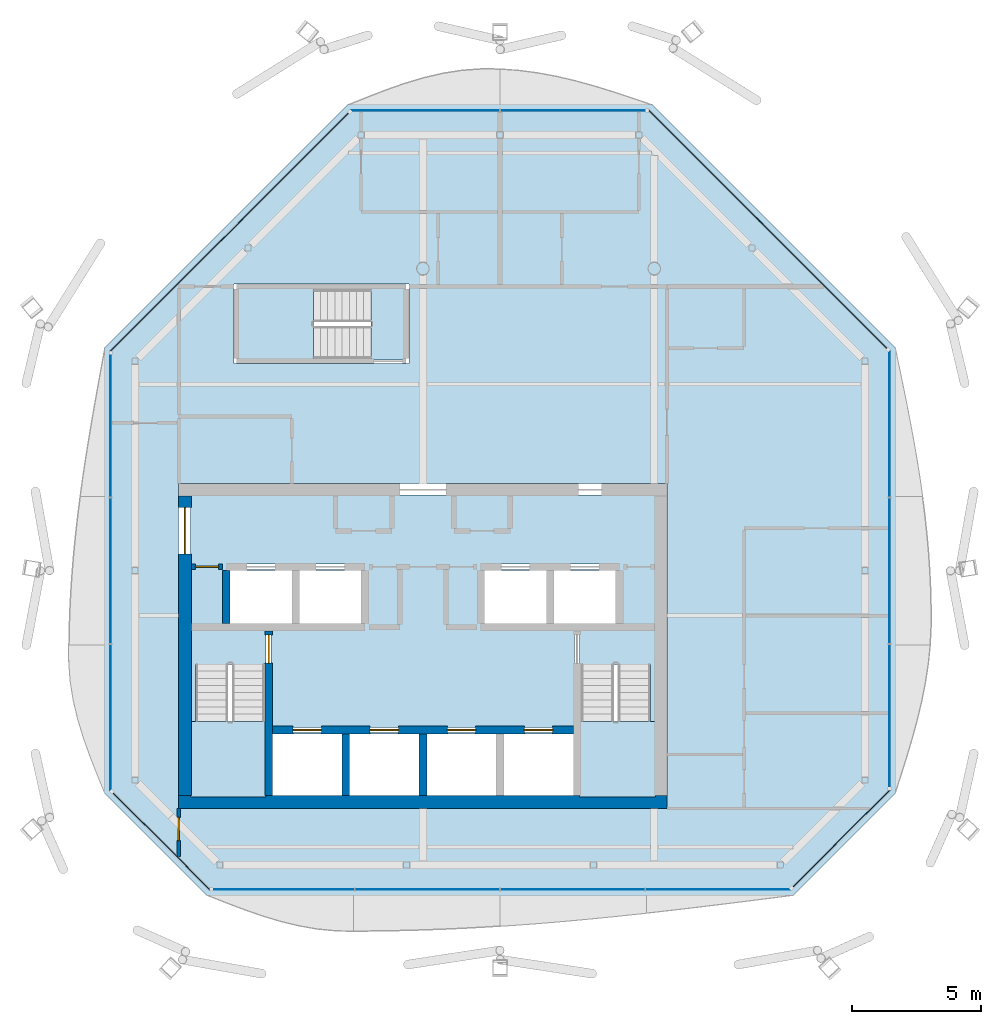
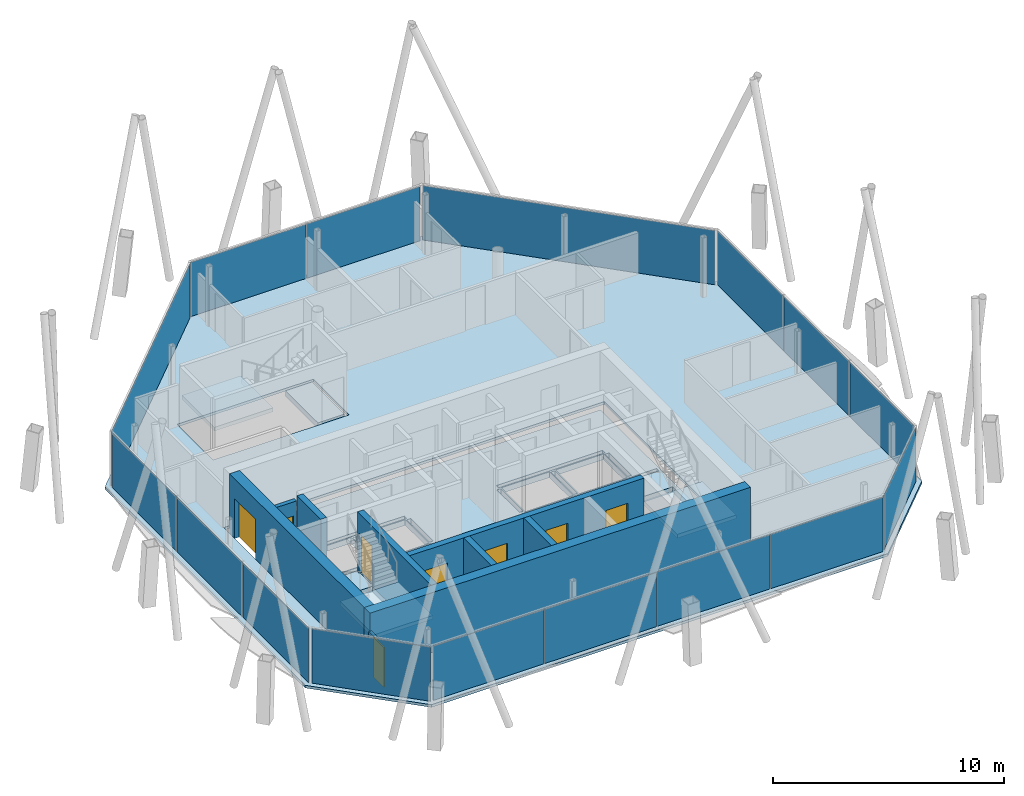
# One storey, part 9 of 14: 16 plates, 9 walls, 8 doors, 6 slabs, 8 openings, 11 elements without a shape of their own.
"""IFC4 building model written with IfcOpenShell, lengths in metres."""

from ifc_helpers import new_model, si_unit, direction, frame, frame_2d, origin, origin_2d, place, context, subcontext, project, spatial, polyline, rectangle, outline, extrude, material, layer, layer_set, type_object, element, fill, aggregate, save


model = new_model("IFC4")

# Units and contexts
model_context = context("Model", 3, precision=1e-05, world=origin(), true_north=direction((0.0, 1.0)))
body_context = subcontext(model_context, "Body", "Model", "MODEL_VIEW")
ifc_project = project(units=[si_unit("LENGTHUNIT", "METRE"), si_unit("AREAUNIT", "SQUARE_METRE"), si_unit("VOLUMEUNIT", "CUBIC_METRE"), si_unit("PLANEANGLEUNIT", "RADIAN"), si_unit("MASSUNIT", "GRAM", prefix="KILO")], contexts=[model_context])

# Site, building, storey
site_placement = place(None, origin())
site = spatial("IfcSite", under=ifc_project, at=site_placement, CompositionType="ELEMENT")
building_placement = place(site_placement, origin())
building = spatial("IfcBuilding", under=site, at=building_placement, Name="Tskaro Facet Tower", CompositionType="ELEMENT")
storey_placement = place(building_placement, frame((0.0, 0.0, 287.85009765625)))
storey = spatial("IfcBuildingStorey", under=building, at=storey_placement, Name="L77", CompositionType="ELEMENT", Elevation=287.85009765625)

# Slab
ifc_material_1 = material(Name="Concrete C30/37", Category="concrete")
ifc_layer_1 = layer(ifc_material_1, 0.139892578125, Name="Concrete C30/37")
ifc_layer_set_1 = layer_set([ifc_layer_1], Name="Concrete C30/37")
slab_type_1 = type_object("IfcSlabType", Name="Composite deck floor slab", PredefinedType="FLOOR", material=ifc_layer_set_1)
slab_1_placement = place(storey_placement, frame((0.0, 0.0, -0.14013671875)))
element("IfcSlab", 1, at=slab_1_placement, inside=storey, type_object=slab_type_1, Name="Floor slab FS3 L77", PredefinedType="FLOOR", context=body_context, shape_type="SweptSolid", body=[
    extrude(outline(polyline([(-8.39990234375, -15.39990234375), (14.39990234375, -15.39990234375), (18.39990234375, -11.39990234375), (18.39990234375, 5.89990234375), (8.89990234375, 15.39990234375), (-2.89990234375, 15.39990234375), (-12.39990234375, 5.89990234375), (-12.39990234375, -11.39990234375), (-8.39990234375, -15.39990234375)]), holes=[polyline([(-9.5, -12.0), (9.5, -12.0), (9.5, 0.64990234375), (-9.5, 0.64990234375), (-9.5, -12.0)]), polyline([(-7.35009765625, 5.300048828125), (-0.550048828125, 5.300048828125), (-0.550048828125, 8.39990234375), (-7.35009765625, 8.39990234375), (-7.35009765625, 5.300048828125)])]), origin(), (0.0, 0.0, 1.0), 0.14013671875),
])

# Curtain wall, plates
ifc_material_2 = material(Name="Bronze anodised aluminium 6063-T6", Category="aluminium")
curtain_wall_type = type_object("IfcCurtainWallType", Name="Bronze residence curtain wall (FW3)", PredefinedType="NOTDEFINED", material=ifc_material_2)
curtain_wall_1_placement = place(storey_placement, origin())
curtain_wall_1 = element("IfcCurtainWall", 2, at=curtain_wall_1_placement, inside=storey, type_object=curtain_wall_type, Name="FW3 south facet L77", PredefinedType="NOTDEFINED")
ifc_material_3 = material(Name="Bronze low-iron glass", Category="glass")
ifc_layer_2 = layer(ifc_material_3, 0.028076171875, Name="Bronze low-iron glass")
ifc_layer_set_2 = layer_set([ifc_layer_2], Name="Bronze low-iron glass")
plate_type = type_object("IfcPlateType", Name="FW3 bronze-tinted unit glazing 28", PredefinedType="CURTAIN_PANEL", material=ifc_layer_set_2)
plate_1_placement = place(storey_placement, frame((-5.41455078125, -15.14990234375, 0.0), z_axis=(0.0, 0.0, 1.0), x_axis=(1.0, 0.0, 0.0)))
plate_1 = element("IfcPlate", 3, at=plate_1_placement, type_object=plate_type, Name="FW3 south glazing 1.1", PredefinedType="CURTAIN_PANEL", context=body_context, shape_type="SweptSolid", body=[
    extrude(rectangle(XDim=5.48291015625, YDim=0.028076171875, at=origin_2d()), origin(), (0.0, 0.0, 1.0), 2.860107421875),
])
plate_2_placement = place(storey_placement, frame((0.176025390625, -15.14990234375, 0.0), z_axis=(0.0, 0.0, 1.0), x_axis=(1.0, 0.0, 0.0)))
plate_2 = element("IfcPlate", 4, at=plate_2_placement, type_object=plate_type, Name="FW3 south glazing 2.1", PredefinedType="CURTAIN_PANEL", context=body_context, shape_type="SweptSolid", body=[
    extrude(rectangle(XDim=5.597900390625, YDim=0.028076171875, at=origin_2d()), origin(), (0.0, 0.0, 1.0), 2.860107421875),
])
plate_3_placement = place(storey_placement, frame((5.823974609375, -15.14990234375, 0.0), z_axis=(0.0, 0.0, 1.0), x_axis=(1.0, 0.0, 0.0)))
plate_3 = element("IfcPlate", 5, at=plate_3_placement, type_object=plate_type, Name="FW3 south glazing 3.1", PredefinedType="CURTAIN_PANEL", context=body_context, shape_type="SweptSolid", body=[
    extrude(rectangle(XDim=5.597900390625, YDim=0.028076171875, at=origin_2d()), origin(), (0.0, 0.0, 1.0), 2.860107421875),
])
plate_4_placement = place(storey_placement, frame((11.484619140625, -15.14990234375, 0.0), z_axis=(0.0, 0.0, 1.0), x_axis=(1.0, 0.0, 0.0)))
plate_4 = element("IfcPlate", 6, at=plate_4_placement, type_object=plate_type, Name="FW3 south glazing 4.1", PredefinedType="CURTAIN_PANEL", context=body_context, shape_type="SweptSolid", body=[
    extrude(rectangle(XDim=5.623046875, YDim=0.028076171875, at=origin_2d()), origin(), (0.0, 0.0, 1.0), 2.860107421875),
])
aggregate(curtain_wall_1, [plate_1, plate_2, plate_3, plate_4])

# Curtain wall, plate
curtain_wall_2_placement = place(storey_placement, origin())
curtain_wall_2 = element("IfcCurtainWall", 7, at=curtain_wall_2_placement, inside=storey, type_object=curtain_wall_type, Name="FW3 south-east facet L77", PredefinedType="NOTDEFINED")
plate_5_placement = place(storey_placement, frame((16.2724609375, -13.173583984375, 0.0), z_axis=(0.0, 0.0, 1.0), x_axis=(0.707106781187, 0.707106781187, 0.0)))
plate_5 = element("IfcPlate", 8, at=plate_5_placement, type_object=plate_type, Name="FW3 south-east glazing 1.1", PredefinedType="CURTAIN_PANEL", context=body_context, shape_type="SweptSolid", body=[
    extrude(rectangle(XDim=5.310302734375, YDim=0.028076171875, at=origin_2d()), origin(), (0.0, 0.0, 1.0), 2.860107421875),
])
aggregate(curtain_wall_2, [plate_5])

# Curtain wall, plates
curtain_wall_3_placement = place(storey_placement, origin())
curtain_wall_3 = element("IfcCurtainWall", 9, at=curtain_wall_3_placement, inside=storey, type_object=curtain_wall_type, Name="FW3 east facet L77", PredefinedType="NOTDEFINED")
plate_6_placement = place(storey_placement, frame((18.14990234375, -8.389892578125, 0.0), z_axis=(0.0, 0.0, 1.0), x_axis=(0.0, 1.0, 0.0)))
plate_6 = element("IfcPlate", 10, at=plate_6_placement, type_object=plate_type, Name="FW3 east glazing 1.1", PredefinedType="CURTAIN_PANEL", context=body_context, shape_type="SweptSolid", body=[
    extrude(rectangle(XDim=5.5322265625, YDim=0.028076171875, at=origin_2d()), origin(), (0.0, 0.0, 1.0), 2.860107421875),
])
plate_7_placement = place(storey_placement, frame((18.14990234375, -2.75, 0.0), z_axis=(0.0, 0.0, 1.0), x_axis=(0.0, 1.0, 0.0)))
plate_7 = element("IfcPlate", 11, at=plate_7_placement, type_object=plate_type, Name="FW3 east glazing 2.1", PredefinedType="CURTAIN_PANEL", context=body_context, shape_type="SweptSolid", body=[
    extrude(rectangle(XDim=5.647216796875, YDim=0.028076171875, at=origin_2d()), origin(), (0.0, 0.0, 1.0), 2.860107421875),
])
plate_8_placement = place(storey_placement, frame((18.14990234375, 2.959716796875, 0.0), z_axis=(0.0, 0.0, 1.0), x_axis=(0.0, 1.0, 0.0)))
plate_8 = element("IfcPlate", 12, at=plate_8_placement, type_object=plate_type, Name="FW3 east glazing 3.1", PredefinedType="CURTAIN_PANEL", context=body_context, shape_type="SweptSolid", body=[
    extrude(rectangle(XDim=5.67236328125, YDim=0.028076171875, at=origin_2d()), origin(), (0.0, 0.0, 1.0), 2.860107421875),
])
aggregate(curtain_wall_3, [plate_6, plate_7, plate_8])

# Curtain wall, plate
curtain_wall_4_placement = place(storey_placement, origin())
curtain_wall_4 = element("IfcCurtainWall", 13, at=curtain_wall_4_placement, inside=storey, type_object=curtain_wall_type, Name="FW3 north-east facet L77", PredefinedType="NOTDEFINED")
plate_9_placement = place(storey_placement, frame((13.423583984375, 10.5224609375, 0.0), z_axis=(0.0, 0.0, 1.0), x_axis=(-0.707106781187, 0.707106781187, 0.0)))
plate_9 = element("IfcPlate", 14, at=plate_9_placement, type_object=plate_type, Name="FW3 north-east glazing 1.1", PredefinedType="CURTAIN_PANEL", context=body_context, shape_type="SweptSolid", body=[
    extrude(rectangle(XDim=13.088623046875, YDim=0.028076171875, at=origin_2d()), origin(), (0.0, 0.0, 1.0), 2.860107421875),
])
aggregate(curtain_wall_4, [plate_9])

# Curtain wall, plates
curtain_wall_5_placement = place(storey_placement, origin())
curtain_wall_5 = element("IfcCurtainWall", 15, at=curtain_wall_5_placement, inside=storey, type_object=curtain_wall_type, Name="FW3 north facet L77", PredefinedType="NOTDEFINED")
plate_10_placement = place(storey_placement, frame((5.840576171875, 15.14990234375, 0.0), z_axis=(0.0, 0.0, 1.0), x_axis=(-1.0, 0.0, 0.0)))
plate_10 = element("IfcPlate", 16, at=plate_10_placement, type_object=plate_type, Name="FW3 north glazing 1.1", PredefinedType="CURTAIN_PANEL", context=body_context, shape_type="SweptSolid", body=[
    extrude(rectangle(XDim=5.631103515625, YDim=0.028076171875, at=origin_2d()), origin(), (0.0, 0.0, 1.0), 2.860107421875),
])
plate_11_placement = place(storey_placement, frame((0.089599609375, 15.14990234375, 0.0), z_axis=(0.0, 0.0, 1.0), x_axis=(-1.0, 0.0, 0.0)))
plate_11 = element("IfcPlate", 17, at=plate_11_placement, type_object=plate_type, Name="FW3 north glazing 2.1", PredefinedType="CURTAIN_PANEL", context=body_context, shape_type="SweptSolid", body=[
    extrude(rectangle(XDim=5.77099609375, YDim=0.028076171875, at=origin_2d()), origin(), (0.0, 0.0, 1.0), 2.860107421875),
])
aggregate(curtain_wall_5, [plate_10, plate_11])

# Curtain wall, plate
curtain_wall_6_placement = place(storey_placement, origin())
curtain_wall_6 = element("IfcCurtainWall", 18, at=curtain_wall_6_placement, inside=storey, type_object=curtain_wall_type, Name="FW3 north-west facet L77", PredefinedType="NOTDEFINED")
plate_12_placement = place(storey_placement, frame((-7.5224609375, 10.423583984375, 0.0), z_axis=(0.0, 0.0, 1.0), x_axis=(-0.707106781187, -0.707106781187, 0.0)))
plate_12 = element("IfcPlate", 19, at=plate_12_placement, type_object=plate_type, Name="FW3 north-west glazing 1.1", PredefinedType="CURTAIN_PANEL", context=body_context, shape_type="SweptSolid", body=[
    extrude(rectangle(XDim=13.088623046875, YDim=0.028076171875, at=origin_2d()), origin(), (0.0, 0.0, 1.0), 2.860107421875),
])
aggregate(curtain_wall_6, [plate_12])

# Curtain wall, plates
curtain_wall_7_placement = place(storey_placement, origin())
curtain_wall_7 = element("IfcCurtainWall", 20, at=curtain_wall_7_placement, inside=storey, type_object=curtain_wall_type, Name="FW3 west facet L77", PredefinedType="NOTDEFINED")
plate_13_placement = place(storey_placement, frame((-12.14990234375, 2.889892578125, 0.0), z_axis=(0.0, 0.0, 1.0), x_axis=(0.0, -1.0, 0.0)))
plate_13 = element("IfcPlate", 21, at=plate_13_placement, type_object=plate_type, Name="FW3 west glazing 1.1", PredefinedType="CURTAIN_PANEL", context=body_context, shape_type="SweptSolid", body=[
    extrude(rectangle(XDim=5.5322265625, YDim=0.028076171875, at=origin_2d()), origin(), (0.0, 0.0, 1.0), 2.860107421875),
])
plate_14_placement = place(storey_placement, frame((-12.14990234375, -2.75, 0.0), z_axis=(0.0, 0.0, 1.0), x_axis=(0.0, -1.0, 0.0)))
plate_14 = element("IfcPlate", 22, at=plate_14_placement, type_object=plate_type, Name="FW3 west glazing 2.1", PredefinedType="CURTAIN_PANEL", context=body_context, shape_type="SweptSolid", body=[
    extrude(rectangle(XDim=5.647216796875, YDim=0.028076171875, at=origin_2d()), origin(), (0.0, 0.0, 1.0), 2.860107421875),
])
plate_15_placement = place(storey_placement, frame((-12.14990234375, -8.459716796875, 0.0), z_axis=(0.0, 0.0, 1.0), x_axis=(0.0, -1.0, 0.0)))
plate_15 = element("IfcPlate", 23, at=plate_15_placement, type_object=plate_type, Name="FW3 west glazing 3.1", PredefinedType="CURTAIN_PANEL", context=body_context, shape_type="SweptSolid", body=[
    extrude(rectangle(XDim=5.67236328125, YDim=0.028076171875, at=origin_2d()), origin(), (0.0, 0.0, 1.0), 2.860107421875),
])
aggregate(curtain_wall_7, [plate_13, plate_14, plate_15])

# Curtain wall, plate
curtain_wall_8_placement = place(storey_placement, origin())
curtain_wall_8 = element("IfcCurtainWall", 24, at=curtain_wall_8_placement, inside=storey, type_object=curtain_wall_type, Name="FW3 south-west facet L77", PredefinedType="NOTDEFINED")
plate_16_placement = place(storey_placement, frame((-10.173583984375, -13.2724609375, 0.0), z_axis=(0.0, 0.0, 1.0), x_axis=(0.707106781187, -0.707106781187, 0.0)))
plate_16 = element("IfcPlate", 25, at=plate_16_placement, type_object=plate_type, Name="FW3 south-west glazing 1.1", PredefinedType="CURTAIN_PANEL", context=body_context, shape_type="SweptSolid", body=[
    extrude(rectangle(XDim=5.310302734375, YDim=0.028076171875, at=origin_2d()), origin(), (0.0, 0.0, 1.0), 2.860107421875),
])
aggregate(curtain_wall_8, [plate_16])

# Stair, slab
ifc_material_4 = material(Name="Concrete C40/50", Category="concrete")
stair_type = type_object("IfcStairType", Name="ST-TWR", PredefinedType="HALF_TURN_STAIR", material=ifc_material_4)
stair_1_placement = place(storey_placement, origin())
stair_1 = element("IfcStair", 26, at=stair_1_placement, inside=storey, type_object=stair_type, Name="L77 Exit stair 1", PredefinedType="HALF_TURN_STAIR")
ifc_layer_3 = layer(ifc_material_4, 0.199951171875, Name="Concrete C40/50")
ifc_layer_set_3 = layer_set([ifc_layer_3], Name="Concrete C40/50")
slab_type_2 = type_object("IfcSlabType", Name="SL-LANDING", PredefinedType="LANDING", material=ifc_layer_set_3)
slab_2_placement = place(storey_placement, frame((0.0, 0.0, 1.375)))
slab_2 = element("IfcSlab", 27, at=slab_2_placement, type_object=slab_type_2, Name="ST-1 landing 1", PredefinedType="LANDING", context=body_context, shape_type="SweptSolid", body=[
    extrude(outline(polyline([(-9.050048828125, -11.550048828125), (-6.10009765625, -11.550048828125), (-6.10009765625, -8.614990234375), (-9.050048828125, -8.614990234375), (-9.050048828125, -11.550048828125)])), origin(), (0.0, 0.0, 1.0), 0.199951171875),
])
aggregate(stair_1, [slab_2])

stair_2_placement = place(storey_placement, origin())
stair_2 = element("IfcStair", 28, at=stair_2_placement, inside=storey, type_object=stair_type, Name="L77 Exit stair 2", PredefinedType="HALF_TURN_STAIR")
slab_3_placement = place(storey_placement, frame((0.0, 0.0, 1.375)))
slab_3 = element("IfcSlab", 29, at=slab_3_placement, type_object=slab_type_2, Name="ST-2 landing 1", PredefinedType="LANDING", context=body_context, shape_type="SweptSolid", body=[
    extrude(outline(polyline([(6.10009765625, -11.550048828125), (9.050048828125, -11.550048828125), (9.050048828125, -8.614990234375), (6.10009765625, -8.614990234375), (6.10009765625, -11.550048828125)])), origin(), (0.0, 0.0, 1.0), 0.199951171875),
])
aggregate(stair_2, [slab_3])

stair_3_placement = place(storey_placement, origin())
stair_3 = element("IfcStair", 30, at=stair_3_placement, inside=storey, type_object=stair_type, Name="L77 Exit stair 3", PredefinedType="HALF_TURN_STAIR")
slab_4_placement = place(storey_placement, frame((0.0, 0.0, 1.375)))
slab_4 = element("IfcSlab", 31, at=slab_4_placement, type_object=slab_type_2, Name="ST-3 landing 1", PredefinedType="LANDING", context=body_context, shape_type="SweptSolid", body=[
    extrude(outline(polyline([(-7.199951171875, 5.449951171875), (-4.264892578125, 5.449951171875), (-4.264892578125, 8.25), (-7.199951171875, 8.25), (-7.199951171875, 5.449951171875)])), origin(), (0.0, 0.0, 1.0), 0.199951171875),
])
aggregate(stair_3, [slab_4])

# Slabs
ifc_material_5 = material(Name="Concrete C60/75", Category="concrete")
ifc_layer_4 = layer(ifc_material_5, 0.300048828125, Name="Concrete C60/75")
ifc_layer_set_4 = layer_set([ifc_layer_4], Name="Concrete C60/75")
slab_type_3 = type_object("IfcSlabType", Name="SLAB-CORE", PredefinedType="FLOOR", material=ifc_layer_set_4)
slab_5_placement = place(storey_placement, frame((0.0, 0.0, -0.300048828125)))
element("IfcSlab", 32, at=slab_5_placement, inside=storey, type_object=slab_type_3, Name="Core floor slab 1", PredefinedType="FLOOR", context=body_context, shape_type="SweptSolid", body=[
    extrude(outline(polyline([(-9.050048828125, 0.199951171875), (9.050048828125, 0.199951171875), (9.050048828125, 0.10009765625), (9.050048828125, -11.449951171875), (9.050048828125, -11.550048828125), (-9.050048828125, -11.550048828125), (-9.050048828125, -11.449951171875), (-9.050048828125, 0.10009765625), (-9.050048828125, 0.199951171875)]), holes=[polyline([(-5.85009765625, -9.10009765625), (-5.85009765625, -11.5), (-3.14990234375, -11.5), (-3.14990234375, -9.10009765625), (-5.85009765625, -9.10009765625)]), polyline([(-3.10009765625, -11.449951171875), (-2.89990234375, -11.449951171875), (-2.89990234375, -9.14990234375), (-3.10009765625, -9.14990234375), (-3.10009765625, -11.449951171875)]), polyline([(-2.85009765625, -9.10009765625), (-2.85009765625, -11.5), (-0.14990234375, -11.5), (-0.14990234375, -9.10009765625), (-2.85009765625, -9.10009765625)]), polyline([(-6.10009765625, -11.449951171875), (-5.89990234375, -11.449951171875), (-5.89990234375, -5.14990234375), (-6.10009765625, -5.14990234375), (-6.10009765625, -11.449951171875)]), polyline([(-8.949951171875, -5.050048828125), (-2.300048828125, -5.050048828125), (-2.300048828125, -4.85009765625), (-8.949951171875, -4.85009765625), (-8.949951171875, -5.050048828125)]), polyline([(-7.75, -4.75), (-7.550048828125, -4.75), (-7.550048828125, -2.800048828125), (-7.75, -2.800048828125), (-7.75, -4.75)]), polyline([(-7.5, -4.800048828125), (-5.10009765625, -4.800048828125), (-5.10009765625, -2.75), (-7.5, -2.75), (-7.5, -4.800048828125)]), polyline([(-5.050048828125, -4.75), (-4.85009765625, -4.75), (-4.85009765625, -2.800048828125), (-5.050048828125, -2.800048828125), (-5.050048828125, -4.75)]), polyline([(-2.39990234375, -2.75), (-4.800048828125, -2.75), (-4.800048828125, -4.800048828125), (-2.39990234375, -4.800048828125), (-2.39990234375, -2.75)]), polyline([(-2.35009765625, -4.75), (-2.14990234375, -4.75), (-2.14990234375, -2.800048828125), (-2.35009765625, -2.800048828125), (-2.35009765625, -4.75)]), polyline([(-7.60009765625, -2.699951171875), (-2.300048828125, -2.699951171875), (-2.300048828125, -2.5), (-7.60009765625, -2.5), (-7.60009765625, -2.699951171875)]), polyline([(-0.10009765625, -11.449951171875), (0.10009765625, -11.449951171875), (0.10009765625, -9.14990234375), (-0.10009765625, -9.14990234375), (-0.10009765625, -11.449951171875)]), polyline([(0.14990234375, -9.10009765625), (0.14990234375, -11.5), (2.85009765625, -11.5), (2.85009765625, -9.10009765625), (0.14990234375, -9.10009765625)]), polyline([(2.89990234375, -11.449951171875), (3.10009765625, -11.449951171875), (3.10009765625, -9.14990234375), (2.89990234375, -9.14990234375), (2.89990234375, -11.449951171875)]), polyline([(3.14990234375, -9.10009765625), (3.14990234375, -11.5), (5.85009765625, -11.5), (5.85009765625, -9.10009765625), (3.14990234375, -9.10009765625)]), polyline([(-5.800048828125, -9.050048828125), (5.800048828125, -9.050048828125), (5.800048828125, -8.85009765625), (-5.800048828125, -8.85009765625), (-5.800048828125, -9.050048828125)]), polyline([(5.89990234375, -11.449951171875), (6.10009765625, -11.449951171875), (6.10009765625, -5.14990234375), (5.89990234375, -5.14990234375), (5.89990234375, -11.449951171875)]), polyline([(2.300048828125, -5.050048828125), (8.949951171875, -5.050048828125), (8.949951171875, -4.85009765625), (2.300048828125, -4.85009765625), (2.300048828125, -5.050048828125)]), polyline([(2.14990234375, -4.75), (2.35009765625, -4.75), (2.35009765625, -2.800048828125), (2.14990234375, -2.800048828125), (2.14990234375, -4.75)]), polyline([(4.800048828125, -2.75), (2.39990234375, -2.75), (2.39990234375, -4.800048828125), (4.800048828125, -4.800048828125), (4.800048828125, -2.75)]), polyline([(4.85009765625, -4.75), (5.050048828125, -4.75), (5.050048828125, -2.800048828125), (4.85009765625, -2.800048828125), (4.85009765625, -4.75)]), polyline([(7.5, -2.75), (5.10009765625, -2.75), (5.10009765625, -4.800048828125), (7.5, -4.800048828125), (7.5, -2.75)]), polyline([(7.550048828125, -4.75), (7.75, -4.75), (7.75, -2.800048828125), (7.550048828125, -2.800048828125), (7.550048828125, -4.75)]), polyline([(2.300048828125, -2.699951171875), (7.60009765625, -2.699951171875), (7.60009765625, -2.5), (2.300048828125, -2.5), (2.300048828125, -2.699951171875)]), polyline([(-8.85009765625, -11.5), (-6.14990234375, -11.5), (-6.14990234375, -6.39501953125), (-8.85009765625, -6.39501953125), (-8.85009765625, -11.5)]), polyline([(6.14990234375, -6.39501953125), (6.14990234375, -11.5), (8.85009765625, -11.5), (8.85009765625, -6.39501953125), (6.14990234375, -6.39501953125)])]), origin(), (0.0, 0.0, 1.0), 0.300048828125),
])
slab_6_placement = place(storey_placement, frame((0.0, 0.0, -0.300048828125)))
element("IfcSlab", 33, at=slab_6_placement, inside=storey, type_object=slab_type_3, Name="Stair 3 floor landing 1", PredefinedType="FLOOR", context=body_context, shape_type="SweptSolid", body=[
    extrude(outline(polyline([(-2.02490234375, 5.449951171875), (-0.699951171875, 5.449951171875), (-0.699951171875, 8.25), (-2.02490234375, 8.25), (-2.02490234375, 5.449951171875)])), origin(), (0.0, 0.0, 1.0), 0.300048828125),
])

# Wall, openings, doors
ifc_layer_5 = layer(ifc_material_5, 0.300048828125, Name="Concrete C60/75")
ifc_layer_set_5 = layer_set([ifc_layer_5], Name="Concrete C60/75")
wall_type_1 = type_object("IfcWallType", Name="CORE-SHAFT", PredefinedType="SHEAR", material=ifc_layer_set_5)
wall_1_placement = place(storey_placement, frame((-5.85009765625, -8.949951171875, 0.0), z_axis=(0.0, 0.0, 1.0), x_axis=(1.0, 0.0, 0.0)))
wall_1 = element("IfcWall", 34, at=wall_1_placement, inside=storey, type_object=wall_type_1, Name="Shaft wall W003", PredefinedType="SHEAR", context=body_context, shape_type="SweptSolid", body=[
    extrude(rectangle(XDim=11.7001953125, YDim=0.300048828125, at=frame_2d((5.85009765625, 0.0))), origin(), (0.0, 0.0, 1.0), 3.14990234375),
])
opening_1_placement = place(wall_1_placement, frame((0.800048828125, 0.0, 0.0)))
opening_1 = element("IfcOpeningElement", 35, at=opening_1_placement, cuts=wall_1, Name="Opening LD-FF1", PredefinedType="OPENING", context=body_context, shape_type="SweptSolid", body=[
    extrude(rectangle(XDim=1.10009765625, YDim=2.10009765625, at=frame_2d((0.550048828125, 1.050048828125))), frame((0.0, 0.159912109375, 0.0), z_axis=(0.0, -1.0, 0.0), x_axis=(1.0, 0.0, 0.0)), (0.0, 0.0, 1.0), 0.320068359375),
])
opening_2_placement = place(wall_1_placement, frame((3.800048828125, 0.0, 0.0)))
opening_2 = element("IfcOpeningElement", 36, at=opening_2_placement, cuts=wall_1, Name="Opening LD-FF2", PredefinedType="OPENING", context=body_context, shape_type="SweptSolid", body=[
    extrude(rectangle(XDim=1.10009765625, YDim=2.10009765625, at=frame_2d((0.550048828125, 1.050048828125))), frame((0.0, 0.159912109375, 0.0), z_axis=(0.0, -1.0, 0.0), x_axis=(1.0, 0.0, 0.0)), (0.0, 0.0, 1.0), 0.320068359375),
])
opening_3_placement = place(wall_1_placement, frame((6.800048828125, 0.0, 0.0)))
opening_3 = element("IfcOpeningElement", 37, at=opening_3_placement, cuts=wall_1, Name="Opening LD-SV1", PredefinedType="OPENING", context=body_context, shape_type="SweptSolid", body=[
    extrude(rectangle(XDim=1.10009765625, YDim=2.10009765625, at=frame_2d((0.550048828125, 1.050048828125))), frame((0.0, 0.159912109375, 0.0), z_axis=(0.0, -1.0, 0.0), x_axis=(1.0, 0.0, 0.0)), (0.0, 0.0, 1.0), 0.320068359375),
])
opening_4_placement = place(wall_1_placement, frame((9.800048828125, 0.0, 0.0)))
opening_4 = element("IfcOpeningElement", 38, at=opening_4_placement, cuts=wall_1, Name="Opening LD-SV2", PredefinedType="OPENING", context=body_context, shape_type="SweptSolid", body=[
    extrude(rectangle(XDim=1.10009765625, YDim=2.10009765625, at=frame_2d((0.550048828125, 1.050048828125))), frame((0.0, 0.159912109375, 0.0), z_axis=(0.0, -1.0, 0.0), x_axis=(1.0, 0.0, 0.0)), (0.0, 0.0, 1.0), 0.320068359375),
])
ifc_material_6 = material(Name="Stainless steel", Category="steel")
door_type_1 = type_object("IfcDoorType", Name="D-LANDING", OperationType="NOTDEFINED", PredefinedType="DOOR", material=ifc_material_6)
door_1_placement = place(opening_1_placement, origin())
door_1 = element("IfcDoor", 39, at=door_1_placement, inside=storey, type_object=door_type_1, Name="Landing door FF1", OperationType="DOUBLE_DOOR_SLIDING", OverallHeight=2.10009765625, OverallWidth=1.10009765625, PredefinedType="DOOR", context=body_context, shape_type="SweptSolid", body=[
    extrude(rectangle(XDim=1.10009765625, YDim=2.10009765625, at=frame_2d((0.550048828125, 1.050048828125))), frame((0.0, 0.02490234375, 0.0), z_axis=(0.0, -1.0, 0.0), x_axis=(1.0, 0.0, 0.0)), (0.0, 0.0, 1.0), 0.050048828125),
])
fill(opening_1, door_1)
door_2_placement = place(opening_2_placement, origin())
door_2 = element("IfcDoor", 40, at=door_2_placement, inside=storey, type_object=door_type_1, Name="Landing door FF2", OperationType="DOUBLE_DOOR_SLIDING", OverallHeight=2.10009765625, OverallWidth=1.10009765625, PredefinedType="DOOR", context=body_context, shape_type="SweptSolid", body=[
    extrude(rectangle(XDim=1.10009765625, YDim=2.10009765625, at=frame_2d((0.550048828125, 1.050048828125))), frame((0.0, 0.02490234375, 0.0), z_axis=(0.0, -1.0, 0.0), x_axis=(1.0, 0.0, 0.0)), (0.0, 0.0, 1.0), 0.050048828125),
])
fill(opening_2, door_2)
door_3_placement = place(opening_3_placement, origin())
door_3 = element("IfcDoor", 41, at=door_3_placement, inside=storey, type_object=door_type_1, Name="Landing door SV1", OperationType="DOUBLE_DOOR_SLIDING", OverallHeight=2.10009765625, OverallWidth=1.10009765625, PredefinedType="DOOR", context=body_context, shape_type="SweptSolid", body=[
    extrude(rectangle(XDim=1.10009765625, YDim=2.10009765625, at=frame_2d((0.550048828125, 1.050048828125))), frame((0.0, 0.02490234375, 0.0), z_axis=(0.0, -1.0, 0.0), x_axis=(1.0, 0.0, 0.0)), (0.0, 0.0, 1.0), 0.050048828125),
])
fill(opening_3, door_3)
door_4_placement = place(opening_4_placement, origin())
door_4 = element("IfcDoor", 42, at=door_4_placement, inside=storey, type_object=door_type_1, Name="Landing door SV2", OperationType="DOUBLE_DOOR_SLIDING", OverallHeight=2.10009765625, OverallWidth=1.10009765625, PredefinedType="DOOR", context=body_context, shape_type="SweptSolid", body=[
    extrude(rectangle(XDim=1.10009765625, YDim=2.10009765625, at=frame_2d((0.550048828125, 1.050048828125))), frame((0.0, 0.02490234375, 0.0), z_axis=(0.0, -1.0, 0.0), x_axis=(1.0, 0.0, 0.0)), (0.0, 0.0, 1.0), 0.050048828125),
])
fill(opening_4, door_4)

# Wall
wall_2_placement = place(storey_placement, frame((-7.64990234375, -4.800048828125, 0.0), z_axis=(0.0, 0.0, 1.0), x_axis=(0.0, 1.0, 0.0)))
element("IfcWall", 43, at=wall_2_placement, inside=storey, type_object=wall_type_1, Name="Shaft wall W030", PredefinedType="SHEAR", context=body_context, shape_type="SweptSolid", body=[
    extrude(rectangle(XDim=2.050048828125, YDim=0.300048828125, at=frame_2d((1.02490234375, 0.0))), origin(), (0.0, 0.0, 1.0), 3.14990234375),
])

# Wall, opening, door
wall_3_placement = place(storey_placement, frame((-6.0, -11.5, 0.0), z_axis=(0.0, 0.0, 1.0), x_axis=(0.0, 1.0, 0.0)))
wall_3 = element("IfcWall", 44, at=wall_3_placement, inside=storey, type_object=wall_type_1, Name="Shaft wall W032", PredefinedType="SHEAR", context=body_context, shape_type="SweptSolid", body=[
    extrude(rectangle(XDim=6.39990234375, YDim=0.300048828125, at=frame_2d((3.199951171875, 0.0))), origin(), (0.0, 0.0, 1.0), 3.14990234375),
])
opening_5_placement = place(wall_3_placement, frame((5.14990234375, 0.0, 0.0)))
opening_5 = element("IfcOpeningElement", 45, at=opening_5_placement, cuts=wall_3, Name="Opening ST-1-D1", PredefinedType="OPENING", context=body_context, shape_type="SweptSolid", body=[
    extrude(rectangle(XDim=1.10009765625, YDim=2.10009765625, at=frame_2d((0.550048828125, 1.050048828125))), frame((0.0, 0.159912109375, 0.0), z_axis=(0.0, -1.0, 0.0), x_axis=(1.0, 0.0, 0.0)), (0.0, 0.0, 1.0), 0.320068359375),
])
ifc_material_7 = material(Name="Steel", Category="steel")
door_type_2 = type_object("IfcDoorType", Name="D-STAIR", OperationType="NOTDEFINED", PredefinedType="DOOR", material=ifc_material_7)
door_5_placement = place(opening_5_placement, origin())
door_5 = element("IfcDoor", 46, at=door_5_placement, inside=storey, type_object=door_type_2, Name="Stair door 1", OperationType="SINGLE_SWING_LEFT", OverallHeight=2.10009765625, OverallWidth=1.10009765625, PredefinedType="DOOR", context=body_context, shape_type="SweptSolid", body=[
    extrude(rectangle(XDim=1.10009765625, YDim=2.10009765625, at=frame_2d((0.550048828125, 1.050048828125))), frame((0.0, 0.02490234375, 0.0), z_axis=(0.0, -1.0, 0.0), x_axis=(1.0, 0.0, 0.0)), (0.0, 0.0, 1.0), 0.050048828125),
])
fill(opening_5, door_5)

# Walls
for number, where, z_axis, x_axis, name in (
    (47, (-3.0, -11.5, 0.0), (0.0, 0.0, 1.0), (0.0, 1.0, 0.0), "Shaft wall W036"),
    (48, (0.0, -11.5, 0.0), (0.0, 0.0, 1.0), (0.0, 1.0, 0.0), "Shaft wall W043"),
):
    element("IfcWall", number, at=place(storey_placement, frame(where, z_axis=z_axis, x_axis=x_axis)), inside=storey, type_object=wall_type_1, Name=name, PredefinedType="SHEAR", context=body_context, shape_type="SweptSolid", body=[
        extrude(rectangle(XDim=2.39990234375, YDim=0.300048828125, at=frame_2d((1.199951171875, 0.0))), origin(), (0.0, 0.0, 1.0), 3.14990234375),
    ])

# Wall, opening, door
ifc_material_8 = material(Name="Concrete C20/25", Category="concrete")
ifc_layer_6 = layer(ifc_material_8, 0.199951171875, Name="Concrete C20/25")
ifc_layer_set_6 = layer_set([ifc_layer_6], Name="Concrete C20/25")
wall_type_2 = type_object("IfcWallType", Name="CORE-WALL", PredefinedType="SOLIDWALL", material=ifc_layer_set_6)
wall_4_placement = place(storey_placement, frame((-7.800048828125, -2.60009765625, 0.0), z_axis=(0.0, 0.0, 1.0), x_axis=(-1.0, 0.0, 0.0)))
wall_4 = element("IfcWall", 49, at=wall_4_placement, inside=storey, type_object=wall_type_2, Name="Core room wall W010", PredefinedType="SOLIDWALL", context=body_context, shape_type="SweptSolid", body=[
    extrude(rectangle(XDim=1.199951171875, YDim=0.199951171875, at=frame_2d((0.60009765625, 0.0))), origin(), (0.0, 0.0, 1.0), 2.849853515625),
])
opening_6_placement = place(wall_4_placement, frame((0.14990234375, 0.0, 0.0)))
opening_6 = element("IfcOpeningElement", 50, at=opening_6_placement, cuts=wall_4, Name="Opening T23-D05", PredefinedType="OPENING", context=body_context, shape_type="SweptSolid", body=[
    extrude(rectangle(XDim=0.89990234375, YDim=2.10009765625, at=frame_2d((0.449951171875, 1.050048828125))), frame((0.0, 0.10986328125, 0.0), z_axis=(0.0, -1.0, 0.0), x_axis=(1.0, 0.0, 0.0)), (0.0, 0.0, 1.0), 0.219970703125),
])
ifc_material_9 = material(Name="Timber", Category="wood")
door_type_3 = type_object("IfcDoorType", Name="D-ROOM", OperationType="NOTDEFINED", PredefinedType="DOOR", material=ifc_material_9)
door_6_placement = place(opening_6_placement, origin())
door_6 = element("IfcDoor", 51, at=door_6_placement, inside=storey, type_object=door_type_3, Name="Door T23-D05", OperationType="SINGLE_SWING_RIGHT", OverallHeight=2.10009765625, OverallWidth=0.89990234375, PredefinedType="DOOR", context=body_context, shape_type="SweptSolid", body=[
    extrude(rectangle(XDim=0.89990234375, YDim=2.10009765625, at=frame_2d((0.449951171875, 1.050048828125))), frame((0.0, 0.02490234375, 0.0), z_axis=(0.0, -1.0, 0.0), x_axis=(1.0, 0.0, 0.0)), (0.0, 0.0, 1.0), 0.050048828125),
])
fill(opening_6, door_6)

# Wall
ifc_layer_7 = layer(ifc_material_4, 0.5, Name="Concrete C40/50")
ifc_layer_set_7 = layer_set([ifc_layer_7], Name="Concrete C40/50")
wall_type_3 = type_object("IfcWallType", Name="Core wall 500", PredefinedType="SHEAR", material=ifc_layer_set_7)
wall_5_placement = place(storey_placement, frame((-9.5, -11.75, 0.0), z_axis=(0.0, 0.0, 1.0), x_axis=(1.0, 0.0, 0.0)))
element("IfcWall", 52, at=wall_5_placement, inside=storey, type_object=wall_type_3, Name="Core wall CW-Z3S", PredefinedType="SHEAR", context=body_context, shape_type="SweptSolid", body=[
    extrude(rectangle(XDim=19.0, YDim=0.5, at=frame_2d((9.5, 0.0))), origin(), (0.0, 0.0, 1.0), 3.14990234375),
])

# Wall, opening, door
wall_6_placement = place(storey_placement, frame((-9.25, -11.5, 0.0), z_axis=(0.0, 0.0, 1.0), x_axis=(0.0, 1.0, 0.0)))
wall_6 = element("IfcWall", 53, at=wall_6_placement, inside=storey, type_object=wall_type_3, Name="Core wall CW-Z3W", PredefinedType="SHEAR", context=body_context, shape_type="SweptSolid", body=[
    extrude(rectangle(XDim=11.64990234375, YDim=0.5, at=frame_2d((5.824951171875, 0.0))), origin(), (0.0, 0.0, 1.0), 3.14990234375),
])
opening_7_placement = place(wall_6_placement, frame((9.39990234375, 0.0, 0.0)))
opening_7 = element("IfcOpeningElement", 54, at=opening_7_placement, cuts=wall_6, Name="Opening T23-D09", PredefinedType="OPENING", context=body_context, shape_type="SweptSolid", body=[
    extrude(rectangle(XDim=1.800048828125, YDim=2.10009765625, at=frame_2d((0.89990234375, 1.050048828125))), frame((0.0, 0.260009765625, 0.0), z_axis=(0.0, -1.0, 0.0), x_axis=(1.0, 0.0, 0.0)), (0.0, 0.0, 1.0), 0.52001953125),
])
door_type_4 = type_object("IfcDoorType", Name="D-CORE-PAIR", OperationType="NOTDEFINED", PredefinedType="DOOR", material=ifc_material_7)
door_7_placement = place(opening_7_placement, origin())
door_7 = element("IfcDoor", 55, at=door_7_placement, inside=storey, type_object=door_type_4, Name="Door T23-D09", OperationType="DOUBLE_DOOR_SINGLE_SWING", OverallHeight=2.10009765625, OverallWidth=1.800048828125, PredefinedType="DOOR", context=body_context, shape_type="SweptSolid", body=[
    extrude(rectangle(XDim=1.800048828125, YDim=2.10009765625, at=frame_2d((0.89990234375, 1.050048828125))), frame((0.0, 0.02490234375, 0.0), z_axis=(0.0, -1.0, 0.0), x_axis=(1.0, 0.0, 0.0)), (0.0, 0.0, 1.0), 0.050048828125),
])
fill(opening_7, door_7)

ifc_material_10 = material(Name="Gypsum board on steel studs", Category="steel")
ifc_layer_8 = layer(ifc_material_10, 0.125, Name="Gypsum board on steel studs")
ifc_layer_set_8 = layer_set([ifc_layer_8], Name="Gypsum board on steel studs")
wall_type_4 = type_object("IfcWallType", Name="PART", PredefinedType="PARTITIONING", material=ifc_layer_set_8)
wall_7_placement = place(storey_placement, frame((-9.5, -12.0, 0.0), z_axis=(0.0, 0.0, 1.0), x_axis=(0.0, -1.0, 0.0)))
wall_7 = element("IfcWall", 56, at=wall_7_placement, inside=storey, type_object=wall_type_4, Name="Partition W027", PredefinedType="PARTITIONING", context=body_context, shape_type="SweptSolid", body=[
    extrude(rectangle(XDim=1.8759765625, YDim=0.125, at=frame_2d((0.93798828125, 0.0))), origin(), (0.0, 0.0, 1.0), 2.2099609375),
])
opening_8_placement = place(wall_7_placement, frame((0.35009765625, 0.0, 0.0)))
opening_8 = element("IfcOpeningElement", 57, at=opening_8_placement, cuts=wall_7, Name="Opening T23-D01", PredefinedType="OPENING", context=body_context, shape_type="SweptSolid", body=[
    extrude(rectangle(XDim=0.89990234375, YDim=2.10009765625, at=frame_2d((0.449951171875, 1.050048828125))), frame((0.0, 0.072509765625, 0.0), z_axis=(0.0, -1.0, 0.0), x_axis=(1.0, 0.0, 0.0)), (0.0, 0.0, 1.0), 0.14501953125),
])
door_8_placement = place(opening_8_placement, origin())
door_8 = element("IfcDoor", 58, at=door_8_placement, inside=storey, type_object=door_type_3, Name="Door T23-D01", OperationType="SINGLE_SWING_RIGHT", OverallHeight=2.10009765625, OverallWidth=0.89990234375, PredefinedType="DOOR", context=body_context, shape_type="SweptSolid", body=[
    extrude(rectangle(XDim=0.89990234375, YDim=2.10009765625, at=frame_2d((0.449951171875, 1.050048828125))), frame((0.0, 0.02490234375, 0.0), z_axis=(0.0, -1.0, 0.0), x_axis=(1.0, 0.0, 0.0)), (0.0, 0.0, 1.0), 0.050048828125),
])
fill(opening_8, door_8)

save(model, "model.ifc")
